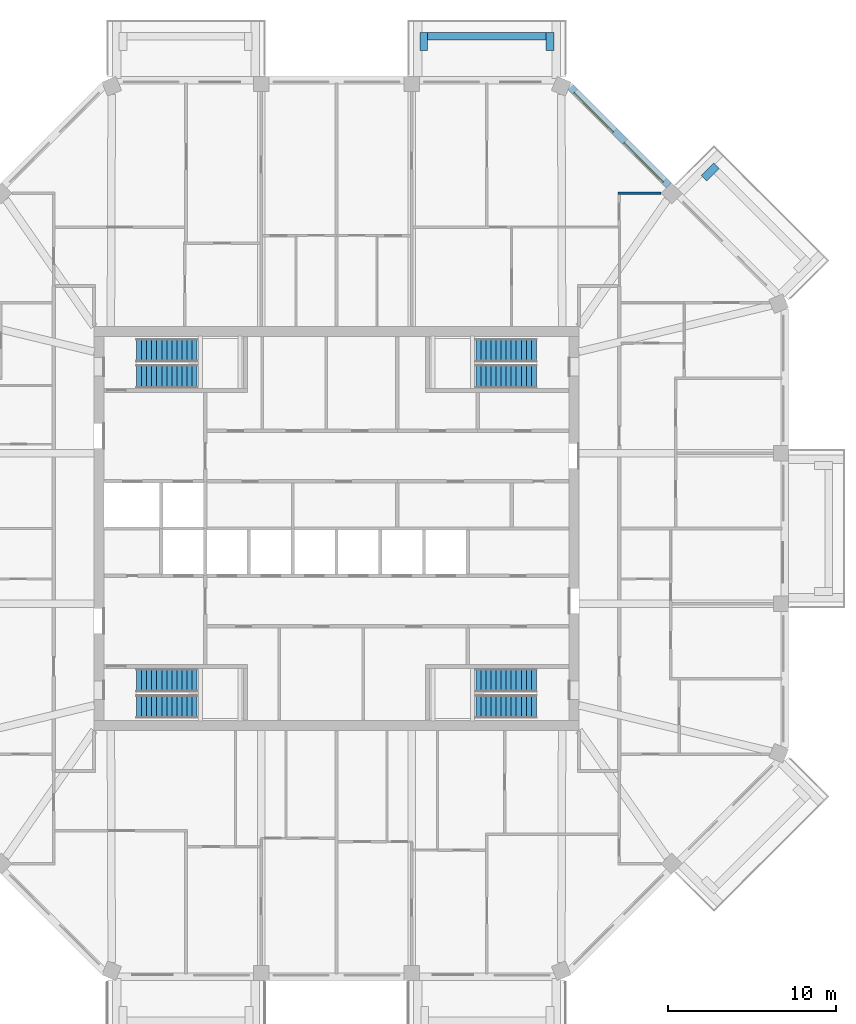
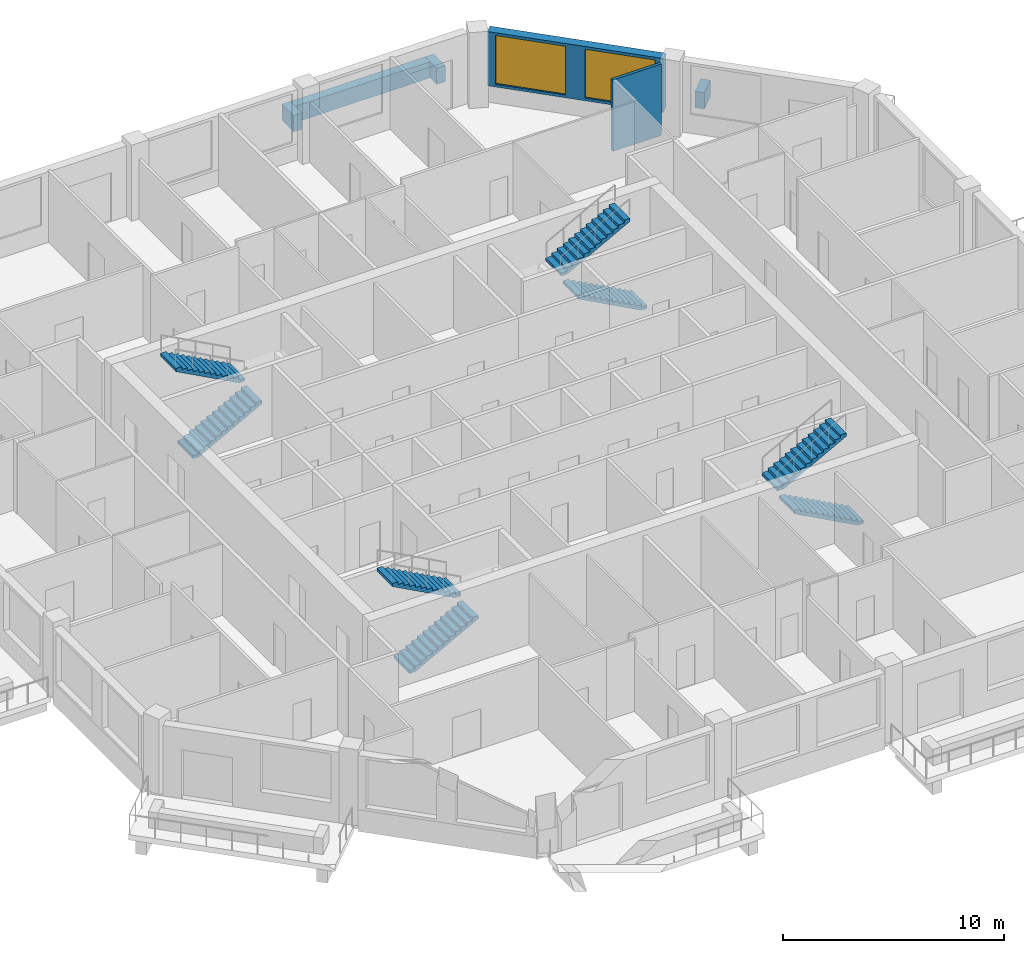
# One storey, part 10 of 12: 8 stair flights, 6 walls, 2 windows, 2 openings, 4 elements without a shape of their own.
"""IFC4 building model written with IfcOpenShell, lengths in metres."""

from ifc_helpers import new_model, si_unit, direction, frame, frame_2d, origin, place, context, subcontext, project, spatial, polyline, rectangle, outline, extrude, material, layer, layer_set, type_object, element, fill, aggregate, save


model = new_model("IFC4")

# Units and contexts
model_context = context("Model", 3, precision=1e-05, world=origin(), true_north=direction((0.0, 1.0)))
body_context = subcontext(model_context, "Body", "Model", "MODEL_VIEW")
ifc_project = project(units=[si_unit("LENGTHUNIT", "METRE"), si_unit("AREAUNIT", "SQUARE_METRE"), si_unit("VOLUMEUNIT", "CUBIC_METRE"), si_unit("PLANEANGLEUNIT", "RADIAN"), si_unit("MASSUNIT", "GRAM", prefix="KILO")], contexts=[model_context])

# Site, building, storey
site_placement = place(None, origin())
site = spatial("IfcSite", under=ifc_project, at=site_placement, CompositionType="ELEMENT")
building_placement = place(site_placement, origin())
building = spatial("IfcBuilding", under=site, at=building_placement, Name="Msitu Wima Residences", CompositionType="ELEMENT")
storey_placement = place(building_placement, frame((0.0, 0.0, 247.5)))
storey = spatial("IfcBuildingStorey", under=building, at=storey_placement, Name="L57", CompositionType="ELEMENT", Elevation=247.5)

# Walls
ifc_material_1 = material(Name="Facing brick")
ifc_layer_1 = layer(ifc_material_1, 0.06494140625, Name="Facing brick")
ifc_material_2 = material(Name="Concrete C40/50", Category="concrete")
ifc_layer_2 = layer(ifc_material_2, 0.156005859375, Name="Concrete C40/50")
ifc_material_3 = material(Name="Waterproofing membrane")
ifc_layer_3 = layer(ifc_material_3, 0.00390625, Name="Waterproofing membrane")
ifc_material_4 = material(Name="Planting soil and planting")
ifc_layer_4 = layer(ifc_material_4, 0.22509765625, Name="Planting soil and planting")
ifc_layer_set_1 = layer_set([ifc_layer_1, ifc_layer_2, ifc_layer_3, ifc_layer_4], Name="Concrete C40/50")
wall_type_1 = type_object("IfcWallType", Name="Balcony planter PLANTER PL450", PredefinedType="USERDEFINED", material=ifc_layer_set_1)
wall_1_placement = place(storey_placement, frame((21.829833984375, 20.804443359375, 0.0), z_axis=(0.0, 0.0, 1.0), x_axis=(0.707106781187, 0.707106781187, 0.0)))
element("IfcWall", 1, at=wall_1_placement, inside=storey, type_object=wall_type_1, Name="Balcony planter NE0 L57", ObjectType="PLANTER", PredefinedType="USERDEFINED", context=body_context, shape_type="SweptSolid", body=[
    extrude(rectangle(XDim=1.050048828125, YDim=0.449951171875, at=frame_2d((0.52490234375, 0.0))), origin(), (0.0, 0.0, 1.0), 0.89990234375),
])
wall_2_placement = place(storey_placement, frame((12.455810546875, 29.22509765625, 0.0), z_axis=(0.0, 0.0, 1.0), x_axis=(-1.0, 0.0, 0.0)))
element("IfcWall", 2, at=wall_2_placement, inside=storey, type_object=wall_type_1, Name="Balcony planter N0 L57", ObjectType="PLANTER", PredefinedType="USERDEFINED", context=body_context, shape_type="SweptSolid", body=[
    extrude(rectangle(XDim=7.037109375, YDim=0.449951171875, at=frame_2d((3.5185546875, 0.0))), origin(), (0.0, 0.0, 1.0), 0.89990234375),
])
for number, where, z_axis, x_axis, name in (
    (3, (12.680908203125, 28.39990234375, 0.0), (0.0, 0.0, 1.0), (0.0, 1.0, 0.0), "Balcony planter N0 L57"),
    (4, (5.193603515625, 28.39990234375, 0.0), (0.0, 0.0, 1.0), (0.0, 1.0, 0.0), "Balcony planter N0 L57"),
):
    element("IfcWall", number, at=place(storey_placement, frame(where, z_axis=z_axis, x_axis=x_axis)), inside=storey, type_object=wall_type_1, Name=name, ObjectType="PLANTER", PredefinedType="USERDEFINED", context=body_context, shape_type="SweptSolid", body=[
        extrude(rectangle(XDim=1.050048828125, YDim=0.449951171875, at=frame_2d((0.52490234375, 0.0))), origin(), (0.0, 0.0, 1.0), 0.89990234375),
    ])

# Wall, openings, windows
ifc_material_5 = material(Name="Brick (red buff mix)", Category="masonry")
ifc_layer_5 = layer(ifc_material_5, 0.449951171875)
ifc_layer_set_2 = layer_set([ifc_layer_5], Name="Brick (red buff mix)")
wall_type_2 = type_object("IfcWallType", Name="Brick infill wall BW450", PredefinedType="SOLIDWALL", material=ifc_layer_set_2)
wall_3_placement = place(storey_placement, frame((19.743896484375, 20.380126953125, 0.89990234375), z_axis=(0.0, 0.0, 1.0), x_axis=(-0.707106781187, 0.707106781187, 0.0)))
wall_3 = element("IfcWall", 5, at=wall_3_placement, inside=storey, type_object=wall_type_2, Name="Brick infill wall L57 NE1", PredefinedType="SOLIDWALL", context=body_context, shape_type="SweptSolid", body=[
    extrude(rectangle(XDim=8.251220703125, YDim=0.449951171875, at=frame_2d((4.12548828125, 0.0))), origin(), (0.0, 0.0, 1.0), 3.0),
])
opening_1_placement = place(wall_3_placement, frame((0.37548828125, 0.0, 0.14990234375)))
opening_1 = element("IfcOpeningElement", 6, at=opening_1_placement, cuts=wall_3, Name="Opening W57-59.011", PredefinedType="OPENING", context=body_context, shape_type="SweptSolid", body=[
    extrude(rectangle(XDim=3.300048828125, YDim=2.699951171875, at=frame_2d((1.64990234375, 1.35009765625))), frame((0.0, 0.23486328125, 0.0), z_axis=(0.0, -1.0, 0.0), x_axis=(1.0, 0.0, 0.0)), (0.0, 0.0, 1.0), 0.469970703125),
])
opening_2_placement = place(wall_3_placement, frame((4.57568359375, 0.0, 0.14990234375)))
opening_2 = element("IfcOpeningElement", 7, at=opening_2_placement, cuts=wall_3, Name="Opening W57-59.012", PredefinedType="OPENING", context=body_context, shape_type="SweptSolid", body=[
    extrude(rectangle(XDim=3.300048828125, YDim=2.699951171875, at=frame_2d((1.64990234375, 1.35009765625))), frame((0.0, 0.23486328125, 0.0), z_axis=(0.0, -1.0, 0.0), x_axis=(1.0, 0.0, 0.0)), (0.0, 0.0, 1.0), 0.469970703125),
])
ifc_material_6 = material(Name="Anodised aluminium, bronze finish, clear low-emissivity double glazing", Category="aluminium")
window_type = type_object("IfcWindowType", Name="Window W3300x2700", PartitioningType="DOUBLE_PANEL_VERTICAL", PredefinedType="WINDOW", material=ifc_material_6)
window_1_placement = place(opening_1_placement, origin())
window_1 = element("IfcWindow", 8, at=window_1_placement, inside=storey, type_object=window_type, Name="Window L57 NE1.1", OverallHeight=2.699951171875, OverallWidth=3.300048828125, PartitioningType="SINGLE_PANEL", PredefinedType="WINDOW", context=body_context, shape_type="SweptSolid", body=[
    extrude(rectangle(XDim=3.300048828125, YDim=2.699951171875, at=frame_2d((1.64990234375, 1.35009765625))), frame((0.0, 0.135009765625, 0.0), z_axis=(0.0, -1.0, 0.0), x_axis=(1.0, 0.0, 0.0)), (0.0, 0.0, 1.0), 0.06005859375),
])
fill(opening_1, window_1)
window_2_placement = place(opening_2_placement, origin())
window_2 = element("IfcWindow", 9, at=window_2_placement, inside=storey, type_object=window_type, Name="Window L57 NE1.2", OverallHeight=2.699951171875, OverallWidth=3.300048828125, PartitioningType="SINGLE_PANEL", PredefinedType="WINDOW", context=body_context, shape_type="SweptSolid", body=[
    extrude(rectangle(XDim=3.300048828125, YDim=2.699951171875, at=frame_2d((1.64990234375, 1.35009765625))), frame((0.0, 0.135009765625, 0.0), z_axis=(0.0, -1.0, 0.0), x_axis=(1.0, 0.0, 0.0)), (0.0, 0.0, 1.0), 0.06005859375),
])
fill(opening_2, window_2)

# Wall
ifc_material_7 = material(Name="Plaster")
ifc_layer_6 = layer(ifc_material_7, 0.011962890625, Name="Plaster")
ifc_material_8 = material(Name="Concrete blockwork", Category="masonry")
ifc_layer_7 = layer(ifc_material_8, 0.1259765625, Name="Concrete blockwork")
ifc_layer_8 = layer(ifc_material_7, 0.011962890625, Name="Plaster")
ifc_layer_set_3 = layer_set([ifc_layer_6, ifc_layer_7, ifc_layer_8], Name="Concrete blockwork")
wall_type_3 = type_object("IfcWallType", Name="Partition PW150", PredefinedType="PARTITIONING", material=ifc_layer_set_3)
wall_4_placement = place(storey_placement, frame((16.72509765625, 19.90283203125, 0.0), z_axis=(0.0, 0.0, 1.0), x_axis=(1.0, 0.0, 0.0)))
element("IfcWall", 10, at=wall_4_placement, inside=storey, type_object=wall_type_3, Name="Partition", PredefinedType="PARTITIONING", context=body_context, shape_type="SweptSolid", body=[
    extrude(rectangle(XDim=2.54150390625, YDim=0.14990234375, at=frame_2d((1.270751953125, 0.0))), origin(), (0.0, 0.0, 1.0), 3.949951171875),
])

# Stair, stair flights
stair_type = type_object("IfcStairType", Name="Exit stair ES1615-140", PredefinedType="HALF_TURN_STAIR", material=ifc_material_2)
stair_1_placement = place(storey_placement, origin())
stair_1 = element("IfcStair", 11, at=stair_1_placement, inside=storey, type_object=stair_type, Name="Exit stair 1", PredefinedType="HALF_TURN_STAIR")
stair_flight_type = type_object("IfcStairFlightType", Name="Exit stair flight ES1615-140", PredefinedType="STRAIGHT", material=ifc_material_2)
stair_flight_1_placement = place(storey_placement, frame((-11.875, 9.02490234375, 0.0), z_axis=(0.0, 0.0, 1.0), x_axis=(1.0, 0.0, 0.0)))
stair_flight_1 = element("IfcStairFlight", 12, at=stair_flight_1_placement, type_object=stair_flight_type, Name="S1 flight 1", NumberOfRisers=13, NumberOfTreads=12, PredefinedType="STRAIGHT", RiserHeight=0.161538462, TreadLength=0.3, context=body_context, shape_type="SweptSolid", body=[
    extrude(outline(polyline([(0.0, 0.0), (0.0, 0.16162109375), (0.300048828125, 0.16162109375), (0.300048828125, 0.322998046875), (0.60009765625, 0.322998046875), (0.60009765625, 0.484619140625), (0.89990234375, 0.484619140625), (0.89990234375, 0.646240234375), (1.199951171875, 0.646240234375), (1.199951171875, 0.8076171875), (1.5, 0.8076171875), (1.5, 0.96923828125), (1.800048828125, 0.96923828125), (1.800048828125, 1.130859375), (2.10009765625, 1.130859375), (2.10009765625, 1.292236328125), (2.39990234375, 1.292236328125), (2.39990234375, 1.453857421875), (2.699951171875, 1.453857421875), (2.699951171875, 1.615478515625), (3.0, 1.615478515625), (3.0, 1.77685546875), (3.300048828125, 1.77685546875), (3.300048828125, 1.9384765625), (3.60009765625, 1.9384765625), (3.60009765625, 2.10009765625), (3.60009765625, 1.768310546875), (0.316162109375, 0.0), (0.0, 0.0)])), frame((0.0, 0.699951171875, 0.0), z_axis=(0.0, -1.0, 0.0), x_axis=(1.0, 0.0, 0.0)), (0.0, 0.0, 1.0), 1.39990234375),
])
stair_flight_2_placement = place(storey_placement, frame((-8.27490234375, 10.574951171875, 2.10009765625), z_axis=(0.0, 0.0, 1.0), x_axis=(-1.0, 0.0, 0.0)))
stair_flight_2 = element("IfcStairFlight", 13, at=stair_flight_2_placement, type_object=stair_flight_type, Name="S1 flight 2", NumberOfRisers=13, NumberOfTreads=12, PredefinedType="STRAIGHT", RiserHeight=0.161538462, TreadLength=0.3, context=body_context, shape_type="SweptSolid", body=[
    extrude(outline(polyline([(0.0, 0.0), (0.0, 0.16162109375), (0.300048828125, 0.16162109375), (0.300048828125, 0.322998046875), (0.60009765625, 0.322998046875), (0.60009765625, 0.484619140625), (0.89990234375, 0.484619140625), (0.89990234375, 0.646240234375), (1.199951171875, 0.646240234375), (1.199951171875, 0.8076171875), (1.5, 0.8076171875), (1.5, 0.96923828125), (1.800048828125, 0.96923828125), (1.800048828125, 1.130859375), (2.10009765625, 1.130859375), (2.10009765625, 1.292236328125), (2.39990234375, 1.292236328125), (2.39990234375, 1.453857421875), (2.699951171875, 1.453857421875), (2.699951171875, 1.615478515625), (3.0, 1.615478515625), (3.0, 1.77685546875), (3.300048828125, 1.77685546875), (3.300048828125, 1.9384765625), (3.60009765625, 1.9384765625), (3.60009765625, 2.10009765625), (3.60009765625, 1.768310546875), (0.316162109375, 0.0), (0.0, 0.0)])), frame((0.0, 0.699951171875, 0.0), z_axis=(0.0, -1.0, 0.0), x_axis=(1.0, 0.0, 0.0)), (0.0, 0.0, 1.0), 1.39990234375),
])
aggregate(stair_1, [stair_flight_1, stair_flight_2])

stair_2_placement = place(storey_placement, origin())
stair_2 = element("IfcStair", 14, at=stair_2_placement, inside=storey, type_object=stair_type, Name="Exit stair 2", PredefinedType="HALF_TURN_STAIR")
stair_flight_3_placement = place(storey_placement, frame((-11.875, -10.574951171875, 0.0), z_axis=(0.0, 0.0, 1.0), x_axis=(1.0, 0.0, 0.0)))
stair_flight_3 = element("IfcStairFlight", 15, at=stair_flight_3_placement, type_object=stair_flight_type, Name="S2 flight 1", NumberOfRisers=13, NumberOfTreads=12, PredefinedType="STRAIGHT", RiserHeight=0.161538462, TreadLength=0.3, context=body_context, shape_type="SweptSolid", body=[
    extrude(outline(polyline([(0.0, 0.0), (0.0, 0.16162109375), (0.300048828125, 0.16162109375), (0.300048828125, 0.322998046875), (0.60009765625, 0.322998046875), (0.60009765625, 0.484619140625), (0.89990234375, 0.484619140625), (0.89990234375, 0.646240234375), (1.199951171875, 0.646240234375), (1.199951171875, 0.8076171875), (1.5, 0.8076171875), (1.5, 0.96923828125), (1.800048828125, 0.96923828125), (1.800048828125, 1.130859375), (2.10009765625, 1.130859375), (2.10009765625, 1.292236328125), (2.39990234375, 1.292236328125), (2.39990234375, 1.453857421875), (2.699951171875, 1.453857421875), (2.699951171875, 1.615478515625), (3.0, 1.615478515625), (3.0, 1.77685546875), (3.300048828125, 1.77685546875), (3.300048828125, 1.9384765625), (3.60009765625, 1.9384765625), (3.60009765625, 2.10009765625), (3.60009765625, 1.768310546875), (0.316162109375, 0.0), (0.0, 0.0)])), frame((0.0, 0.699951171875, 0.0), z_axis=(0.0, -1.0, 0.0), x_axis=(1.0, 0.0, 0.0)), (0.0, 0.0, 1.0), 1.39990234375),
])
stair_flight_4_placement = place(storey_placement, frame((-8.27490234375, -9.02490234375, 2.10009765625), z_axis=(0.0, 0.0, 1.0), x_axis=(-1.0, 0.0, 0.0)))
stair_flight_4 = element("IfcStairFlight", 16, at=stair_flight_4_placement, type_object=stair_flight_type, Name="S2 flight 2", NumberOfRisers=13, NumberOfTreads=12, PredefinedType="STRAIGHT", RiserHeight=0.161538462, TreadLength=0.3, context=body_context, shape_type="SweptSolid", body=[
    extrude(outline(polyline([(0.0, 0.0), (0.0, 0.16162109375), (0.300048828125, 0.16162109375), (0.300048828125, 0.322998046875), (0.60009765625, 0.322998046875), (0.60009765625, 0.484619140625), (0.89990234375, 0.484619140625), (0.89990234375, 0.646240234375), (1.199951171875, 0.646240234375), (1.199951171875, 0.8076171875), (1.5, 0.8076171875), (1.5, 0.96923828125), (1.800048828125, 0.96923828125), (1.800048828125, 1.130859375), (2.10009765625, 1.130859375), (2.10009765625, 1.292236328125), (2.39990234375, 1.292236328125), (2.39990234375, 1.453857421875), (2.699951171875, 1.453857421875), (2.699951171875, 1.615478515625), (3.0, 1.615478515625), (3.0, 1.77685546875), (3.300048828125, 1.77685546875), (3.300048828125, 1.9384765625), (3.60009765625, 1.9384765625), (3.60009765625, 2.10009765625), (3.60009765625, 1.768310546875), (0.316162109375, 0.0), (0.0, 0.0)])), frame((0.0, 0.699951171875, 0.0), z_axis=(0.0, -1.0, 0.0), x_axis=(1.0, 0.0, 0.0)), (0.0, 0.0, 1.0), 1.39990234375),
])
aggregate(stair_2, [stair_flight_3, stair_flight_4])

stair_3_placement = place(storey_placement, origin())
stair_3 = element("IfcStair", 17, at=stair_3_placement, inside=storey, type_object=stair_type, Name="Exit stair 3", PredefinedType="HALF_TURN_STAIR")
stair_flight_5_placement = place(storey_placement, frame((11.875, 9.02490234375, 0.0), z_axis=(0.0, 0.0, 1.0), x_axis=(-1.0, 0.0, 0.0)))
stair_flight_5 = element("IfcStairFlight", 18, at=stair_flight_5_placement, type_object=stair_flight_type, Name="S3 flight 1", NumberOfRisers=13, NumberOfTreads=12, PredefinedType="STRAIGHT", RiserHeight=0.161538462, TreadLength=0.3, context=body_context, shape_type="SweptSolid", body=[
    extrude(outline(polyline([(0.0, 0.0), (0.0, 0.16162109375), (0.300048828125, 0.16162109375), (0.300048828125, 0.322998046875), (0.60009765625, 0.322998046875), (0.60009765625, 0.484619140625), (0.89990234375, 0.484619140625), (0.89990234375, 0.646240234375), (1.199951171875, 0.646240234375), (1.199951171875, 0.8076171875), (1.5, 0.8076171875), (1.5, 0.96923828125), (1.800048828125, 0.96923828125), (1.800048828125, 1.130859375), (2.10009765625, 1.130859375), (2.10009765625, 1.292236328125), (2.39990234375, 1.292236328125), (2.39990234375, 1.453857421875), (2.699951171875, 1.453857421875), (2.699951171875, 1.615478515625), (3.0, 1.615478515625), (3.0, 1.77685546875), (3.300048828125, 1.77685546875), (3.300048828125, 1.9384765625), (3.60009765625, 1.9384765625), (3.60009765625, 2.10009765625), (3.60009765625, 1.768310546875), (0.316162109375, 0.0), (0.0, 0.0)])), frame((0.0, 0.699951171875, 0.0), z_axis=(0.0, -1.0, 0.0), x_axis=(1.0, 0.0, 0.0)), (0.0, 0.0, 1.0), 1.39990234375),
])
stair_flight_6_placement = place(storey_placement, frame((8.27490234375, 10.574951171875, 2.10009765625), z_axis=(0.0, 0.0, 1.0), x_axis=(1.0, 0.0, 0.0)))
stair_flight_6 = element("IfcStairFlight", 19, at=stair_flight_6_placement, type_object=stair_flight_type, Name="S3 flight 2", NumberOfRisers=13, NumberOfTreads=12, PredefinedType="STRAIGHT", RiserHeight=0.161538462, TreadLength=0.3, context=body_context, shape_type="SweptSolid", body=[
    extrude(outline(polyline([(0.0, 0.0), (0.0, 0.16162109375), (0.300048828125, 0.16162109375), (0.300048828125, 0.322998046875), (0.60009765625, 0.322998046875), (0.60009765625, 0.484619140625), (0.89990234375, 0.484619140625), (0.89990234375, 0.646240234375), (1.199951171875, 0.646240234375), (1.199951171875, 0.8076171875), (1.5, 0.8076171875), (1.5, 0.96923828125), (1.800048828125, 0.96923828125), (1.800048828125, 1.130859375), (2.10009765625, 1.130859375), (2.10009765625, 1.292236328125), (2.39990234375, 1.292236328125), (2.39990234375, 1.453857421875), (2.699951171875, 1.453857421875), (2.699951171875, 1.615478515625), (3.0, 1.615478515625), (3.0, 1.77685546875), (3.300048828125, 1.77685546875), (3.300048828125, 1.9384765625), (3.60009765625, 1.9384765625), (3.60009765625, 2.10009765625), (3.60009765625, 1.768310546875), (0.316162109375, 0.0), (0.0, 0.0)])), frame((0.0, 0.699951171875, 0.0), z_axis=(0.0, -1.0, 0.0), x_axis=(1.0, 0.0, 0.0)), (0.0, 0.0, 1.0), 1.39990234375),
])
aggregate(stair_3, [stair_flight_5, stair_flight_6])

stair_4_placement = place(storey_placement, origin())
stair_4 = element("IfcStair", 20, at=stair_4_placement, inside=storey, type_object=stair_type, Name="Exit stair 4", PredefinedType="HALF_TURN_STAIR")
stair_flight_7_placement = place(storey_placement, frame((11.875, -10.574951171875, 0.0), z_axis=(0.0, 0.0, 1.0), x_axis=(-1.0, 0.0, 0.0)))
stair_flight_7 = element("IfcStairFlight", 21, at=stair_flight_7_placement, type_object=stair_flight_type, Name="S4 flight 1", NumberOfRisers=13, NumberOfTreads=12, PredefinedType="STRAIGHT", RiserHeight=0.161538462, TreadLength=0.3, context=body_context, shape_type="SweptSolid", body=[
    extrude(outline(polyline([(0.0, 0.0), (0.0, 0.16162109375), (0.300048828125, 0.16162109375), (0.300048828125, 0.322998046875), (0.60009765625, 0.322998046875), (0.60009765625, 0.484619140625), (0.89990234375, 0.484619140625), (0.89990234375, 0.646240234375), (1.199951171875, 0.646240234375), (1.199951171875, 0.8076171875), (1.5, 0.8076171875), (1.5, 0.96923828125), (1.800048828125, 0.96923828125), (1.800048828125, 1.130859375), (2.10009765625, 1.130859375), (2.10009765625, 1.292236328125), (2.39990234375, 1.292236328125), (2.39990234375, 1.453857421875), (2.699951171875, 1.453857421875), (2.699951171875, 1.615478515625), (3.0, 1.615478515625), (3.0, 1.77685546875), (3.300048828125, 1.77685546875), (3.300048828125, 1.9384765625), (3.60009765625, 1.9384765625), (3.60009765625, 2.10009765625), (3.60009765625, 1.768310546875), (0.316162109375, 0.0), (0.0, 0.0)])), frame((0.0, 0.699951171875, 0.0), z_axis=(0.0, -1.0, 0.0), x_axis=(1.0, 0.0, 0.0)), (0.0, 0.0, 1.0), 1.39990234375),
])
stair_flight_8_placement = place(storey_placement, frame((8.27490234375, -9.02490234375, 2.10009765625), z_axis=(0.0, 0.0, 1.0), x_axis=(1.0, 0.0, 0.0)))
stair_flight_8 = element("IfcStairFlight", 22, at=stair_flight_8_placement, type_object=stair_flight_type, Name="S4 flight 2", NumberOfRisers=13, NumberOfTreads=12, PredefinedType="STRAIGHT", RiserHeight=0.161538462, TreadLength=0.3, context=body_context, shape_type="SweptSolid", body=[
    extrude(outline(polyline([(0.0, 0.0), (0.0, 0.16162109375), (0.300048828125, 0.16162109375), (0.300048828125, 0.322998046875), (0.60009765625, 0.322998046875), (0.60009765625, 0.484619140625), (0.89990234375, 0.484619140625), (0.89990234375, 0.646240234375), (1.199951171875, 0.646240234375), (1.199951171875, 0.8076171875), (1.5, 0.8076171875), (1.5, 0.96923828125), (1.800048828125, 0.96923828125), (1.800048828125, 1.130859375), (2.10009765625, 1.130859375), (2.10009765625, 1.292236328125), (2.39990234375, 1.292236328125), (2.39990234375, 1.453857421875), (2.699951171875, 1.453857421875), (2.699951171875, 1.615478515625), (3.0, 1.615478515625), (3.0, 1.77685546875), (3.300048828125, 1.77685546875), (3.300048828125, 1.9384765625), (3.60009765625, 1.9384765625), (3.60009765625, 2.10009765625), (3.60009765625, 1.768310546875), (0.316162109375, 0.0), (0.0, 0.0)])), frame((0.0, 0.699951171875, 0.0), z_axis=(0.0, -1.0, 0.0), x_axis=(1.0, 0.0, 0.0)), (0.0, 0.0, 1.0), 1.39990234375),
])
aggregate(stair_4, [stair_flight_7, stair_flight_8])

save(model, "model.ifc")
